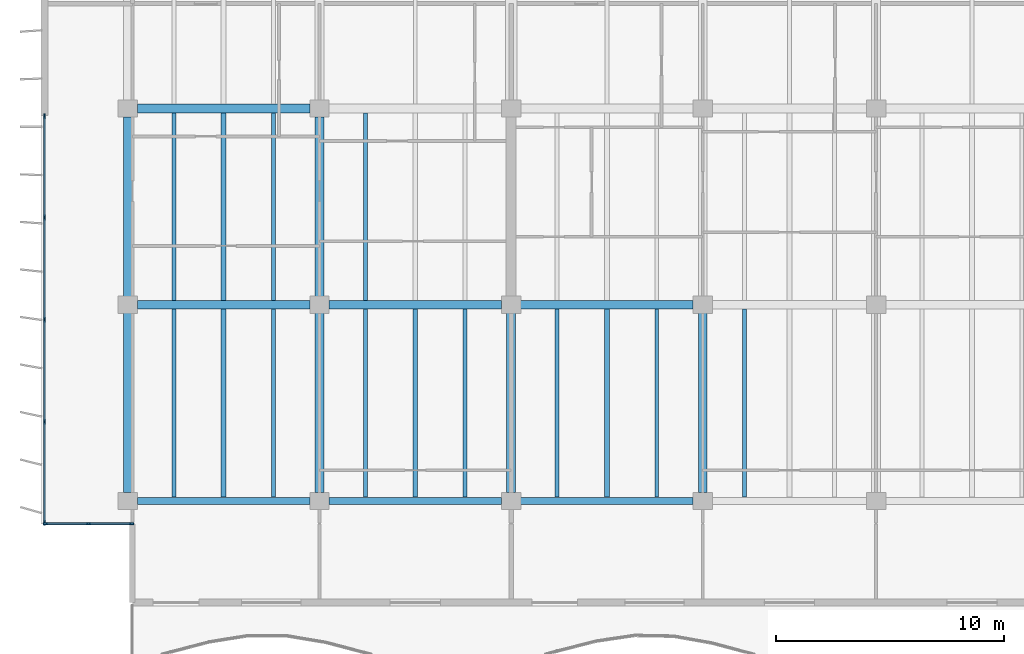
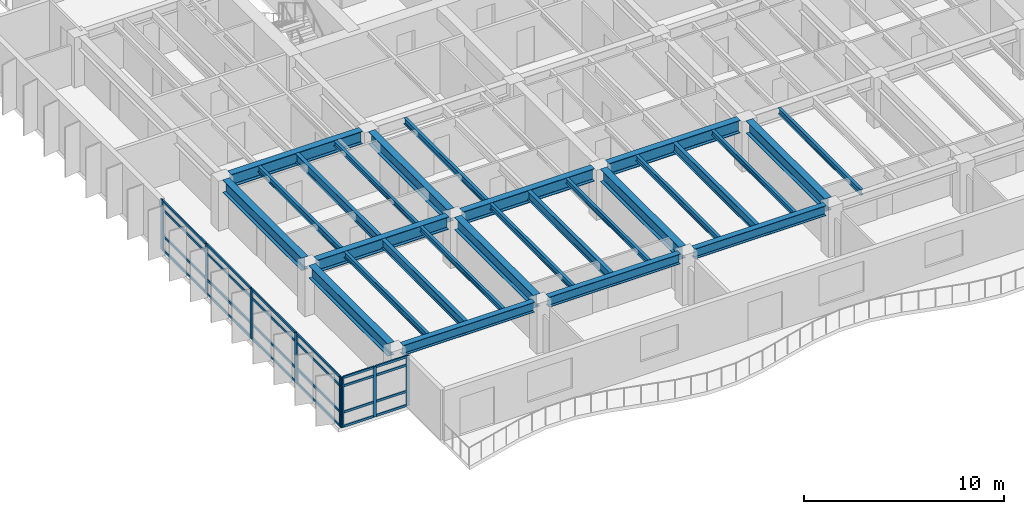
# One storey, part 2 of 17: 32 members, 27 beams, 2 elements without a shape of their own.
"""IFC4 building model written with IfcOpenShell, lengths in metres."""

import ifcopenshell
import ifcopenshell.guid

model = None  # the IFC model being written
_history = None  # IfcOwnerHistory: only IFC2X3 demands one
_inside = {}  # id of a spatial element -> (the spatial element, [elements in it])
_under = {}  # id of a project, library or spatial element -> (it, [spatial elements below it])
_declared = {}  # id of a project -> (the project, [libraries it declares])
_typed = {}  # id of a type object -> (the type object, [elements of that type])
_made_of = {}  # id of a material, layer set ... -> (it, [elements and type objects made of it])


def new_model(schema):
    """Start an empty IFC model of exactly this schema.

    Asked for "IFC4X3", IfcOpenShell would pick the latest addendum, in which some entities
    have other attributes; the version numbers below select the first issue.
    IFC2X3 requires an IfcOwnerHistory on every rooted entity: one is made here for all.
    """
    global model, _history
    if schema == "IFC4X3":
        model = ifcopenshell.file(schema_version=(4, 3, 0, 0))
    else:
        model = ifcopenshell.file(schema=schema)
    _inside.clear()
    _under.clear()
    _declared.clear()
    _typed.clear()
    _made_of.clear()
    _history = None
    if model.schema == "IFC2X3":
        org = make("IfcOrganization", Name="unknown")
        user = make(
            "IfcPersonAndOrganization",
            ThePerson=make("IfcPerson", FamilyName="unknown"),
            TheOrganization=org,
        )
        app = make(
            "IfcApplication",
            ApplicationDeveloper=org,
            Version="unknown",
            ApplicationFullName="unknown",
            ApplicationIdentifier="unknown",
        )
        _history = make(
            "IfcOwnerHistory",
            OwningUser=user,
            OwningApplication=app,
            ChangeAction="ADDED",
            CreationDate=0,
        )
    return model


def make(cls, **values):
    """One entity of the class cls with the attributes given. An attribute that is None is left unset."""
    return model.create_entity(
        cls, **{name: value for name, value in values.items() if value is not None}
    )


def rooted(cls, **values):
    """An entity with a GlobalId (a new one), such as an element, a storey or a relation."""
    return make(cls, GlobalId=ifcopenshell.guid.new(), OwnerHistory=_history, **values)


def si_unit(unit_type, name, prefix=None):
    """IfcSIUnit, for example si_unit("LENGTHUNIT", "METRE", prefix="MILLI")."""
    return make("IfcSIUnit", UnitType=unit_type, Prefix=prefix, Name=name)


def assignment(units):
    """IfcUnitAssignment: the units of a project."""
    return None if units is None else make("IfcUnitAssignment", Units=units)


def point(xyz):
    """IfcCartesianPoint."""
    return None if xyz is None else make("IfcCartesianPoint", Coordinates=xyz)


def direction(xyz):
    """IfcDirection."""
    return None if xyz is None else make("IfcDirection", DirectionRatios=xyz)


def frame(location, z_axis=None, x_axis=None):
    """IfcAxis2Placement3D, a coordinate frame: its origin and axes. An axis left out is left unset."""
    return make(
        "IfcAxis2Placement3D",
        Location=point(location),
        Axis=direction(z_axis),
        RefDirection=direction(x_axis),
    )


def frame_2d(location, x_axis=None):
    """IfcAxis2Placement2D, a coordinate frame in the plane: its origin and x axis."""
    return make(
        "IfcAxis2Placement2D", Location=point(location), RefDirection=direction(x_axis)
    )


def origin():
    """The frame at (0, 0, 0) with its axes left unset."""
    return frame((0.0, 0.0, 0.0))


def origin_2d():
    """The frame at (0, 0) in the plane with its x axis left unset."""
    return frame_2d((0.0, 0.0))


def place(relative_to, where):
    """IfcLocalPlacement: puts the frame where relative to a parent placement (None: the world)."""
    return make(
        "IfcLocalPlacement", PlacementRelTo=relative_to, RelativePlacement=where
    )


def context(
    kind, dimensions, precision=None, world=None, true_north=None, identifier=None
):
    """IfcGeometricRepresentationContext, for example the 3D "Model" context."""
    return make(
        "IfcGeometricRepresentationContext",
        ContextIdentifier=identifier,
        ContextType=kind,
        CoordinateSpaceDimension=dimensions,
        Precision=precision,
        WorldCoordinateSystem=world,
        TrueNorth=true_north,
    )


def subcontext(parent, identifier, kind, view, scale=None):
    """IfcGeometricRepresentationSubContext, for example "Body" below "Model"."""
    return make(
        "IfcGeometricRepresentationSubContext",
        ContextIdentifier=identifier,
        ContextType=kind,
        ParentContext=parent,
        TargetScale=scale,
        TargetView=view,
    )


def project(units=None, contexts=None):
    """IfcProject with its units and contexts."""
    return rooted(
        "IfcProject",
        Name="project",
        RepresentationContexts=contexts,
        UnitsInContext=assignment(units),
    )


def spatial(cls, under=None, at=None, **own):
    """A site, building, storey or space (cls), placed at a placement, below another one or the project."""
    s = rooted(cls, ObjectPlacement=at, **own)
    if under is not None:
        _under.setdefault(under.id(), (under, []))[1].append(s)
    return s


def profile(cls, at=None, kind="AREA", **sizes):
    """A parametric profile (cls). Its sizes go by their IFC names, for example OverallWidth=200.0."""
    return make(cls, ProfileType=kind, Position=at, **sizes)


def rectangle(**sizes):
    """IfcRectangleProfileDef."""
    return profile("IfcRectangleProfileDef", **sizes)


def i_section(**sizes):
    """IfcIShapeProfileDef."""
    return profile("IfcIShapeProfileDef", **sizes)


def extrude(swept, where, along, depth):
    """IfcExtrudedAreaSolid: the profile swept, set in the frame where, extruded along a direction by depth."""
    return make(
        "IfcExtrudedAreaSolid",
        SweptArea=swept,
        Position=where,
        ExtrudedDirection=direction(along),
        Depth=depth,
    )


def shape(context_of_items, identifier, shape_type, items):
    """IfcShapeRepresentation: the items that make up one representation, for example the "Body"."""
    return make(
        "IfcShapeRepresentation",
        ContextOfItems=context_of_items,
        RepresentationIdentifier=identifier,
        RepresentationType=shape_type,
        Items=items,
    )


def material(Name=None, Category=None):
    """IfcMaterial."""
    return make("IfcMaterial", Name=Name, Category=Category)


def layer(
    of_material, thickness, ventilated=None, Name=None, Category=None, Priority=None
):
    """IfcMaterialLayer: one layer of a wall or slab, of a material (None: an air gap)."""
    return make(
        "IfcMaterialLayer",
        Material=of_material,
        LayerThickness=thickness,
        IsVentilated=ventilated,
        Name=Name,
        Category=Category,
        Priority=Priority,
    )


def layer_set(layers, Name=None):
    """IfcMaterialLayerSet."""
    return make("IfcMaterialLayerSet", MaterialLayers=layers, LayerSetName=Name)


def material_profile(
    of_material, cross_section, Name=None, Category=None, Priority=None
):
    """IfcMaterialProfile: a cross section and its material."""
    return make(
        "IfcMaterialProfile",
        Name=Name,
        Material=of_material,
        Profile=cross_section,
        Priority=Priority,
        Category=Category,
    )


def profile_set(profiles, Name=None, composite=None):
    """IfcMaterialProfileSet."""
    return make(
        "IfcMaterialProfileSet",
        Name=Name,
        MaterialProfiles=profiles,
        CompositeProfile=composite,
    )


def made_of(thing, what):
    """Note that an element or type object is made of a material, layer set ...; save() writes the relation."""
    if what is not None:
        _made_of.setdefault(what.id(), (what, []))[1].append(thing)
    return thing


def type_object(cls, material=None, **own):
    """A type object (cls), such as IfcWallType, which elements share."""
    return made_of(rooted(cls, **own), material)


def element(
    cls,
    number,
    at=None,
    inside=None,
    cuts=None,
    type_object=None,
    material=None,
    context=None,
    identifier="Body",
    shape_type=None,
    held_by="IfcProductDefinitionShape",
    body=None,
    shapes=None,
    **own,
):
    """One element of the class cls, such as IfcWall. Its Tag is "e" and its number.

    at: its placement. inside: the storey or other place that contains it. cuts: it is an
    opening in that element (IfcRelVoidsElement). A single representation is given by context,
    identifier, shape_type and body (its items); several are given by shapes. held_by: the class
    of the entity that holds the representations. save() writes the other relations.
    """
    e = rooted(cls, Tag="e%d" % number, ObjectPlacement=at, **own)
    if body is not None:
        shapes = [shape(context, identifier, shape_type, body)]
    if shapes is not None:
        e.Representation = make(held_by, Representations=shapes)
    if inside is not None:
        _inside.setdefault(inside.id(), (inside, []))[1].append(e)
    if cuts is not None:
        rooted(
            "IfcRelVoidsElement", RelatingBuildingElement=cuts, RelatedOpeningElement=e
        )
    if type_object is not None:
        _typed.setdefault(type_object.id(), (type_object, []))[1].append(e)
    return made_of(e, material)


def aggregate(whole, parts):
    """IfcRelAggregates: a whole, such as a stair, and the parts it consists of."""
    return rooted("IfcRelAggregates", RelatingObject=whole, RelatedObjects=parts)


def save(model, path):
    """Write the relations noted so far, then the file.

    IfcRelAggregates (storeys below a building ...), IfcRelContainedInSpatialStructure (elements
    in a storey), IfcRelDefinesByType, IfcRelAssociatesMaterial and IfcRelDeclares: one each for
    every whole, place, type object, material and project.
    """
    for whole, parts in _under.values():
        aggregate(whole, parts)
    for where, things in _inside.values():
        rooted(
            "IfcRelContainedInSpatialStructure",
            RelatedElements=things,
            RelatingStructure=where,
        )
    for kind, things in _typed.values():
        rooted("IfcRelDefinesByType", RelatedObjects=things, RelatingType=kind)
    for what, things in _made_of.values():
        rooted("IfcRelAssociatesMaterial", RelatedObjects=things, RelatingMaterial=what)
    for by, libraries in _declared.values():
        rooted("IfcRelDeclares", RelatingContext=by, RelatedDefinitions=libraries)
    model.write(path)


model = new_model("IFC4")

# Units and contexts
model_context = context("Model", 3, precision=1e-05, world=origin(), true_north=direction((0.0, 1.0)))
body_context = subcontext(model_context, "Body", "Model", "MODEL_VIEW")
ifc_project = project(units=[si_unit("LENGTHUNIT", "METRE"), si_unit("AREAUNIT", "SQUARE_METRE"), si_unit("VOLUMEUNIT", "CUBIC_METRE"), si_unit("PLANEANGLEUNIT", "RADIAN"), si_unit("MASSUNIT", "GRAM", prefix="KILO")], contexts=[model_context])

# Site, building, storey
site_placement = place(None, origin())
site = spatial("IfcSite", under=ifc_project, at=site_placement, CompositionType="ELEMENT")
building_placement = place(site_placement, origin())
building = spatial("IfcBuilding", under=site, at=building_placement, Name="Caelmar Bay Residences", CompositionType="ELEMENT")
storey_placement = place(building_placement, frame((0.0, 0.0, 204.89990234375)))
storey = spatial("IfcBuildingStorey", under=building, at=storey_placement, Name="L57", CompositionType="ELEMENT", Elevation=204.89990234375)

# Beams
ifc_material_1 = material(Name="Steel ASTM A992 Grade 50", Category="steel")
ifc_material_profile_1 = material_profile(ifc_material_1, i_section(OverallWidth=0.381103515625, OverallDepth=0.77197265625, WebThickness=0.0166015625, FlangeThickness=0.027099609375, FilletRadius=0.0166015625, at=origin_2d()), Name="W30X173")
ifc_profile_set_1 = profile_set([ifc_material_profile_1], Name="Steel ASTM A992 Grade 50")
beam_type_1 = type_object("IfcBeamType", Name="BM-GRD-W30X173", PredefinedType="BEAM", material=ifc_profile_set_1)
beam_1_placement = place(storey_placement, frame((10.31494140625, 20.800048828125, 2.6640625), z_axis=(1.0, 0.0, 0.0), x_axis=(0.0, 1.0, 0.0)))
element("IfcBeam", 1, at=beam_1_placement, inside=storey, type_object=beam_type_1, Name="L57 East-West Girder Y=20.80 (9.9-18.3)", PredefinedType="BEAM", context=body_context, shape_type="SweptSolid", body=[
    extrude(i_section(OverallWidth=0.381103515625, OverallDepth=0.77197265625, WebThickness=0.0166015625, FlangeThickness=0.027099609375, FilletRadius=0.0166015625, at=origin_2d()), origin(), (0.0, 0.0, 1.0), 7.570068359375),
])
beam_2_placement = place(storey_placement, frame((18.715087890625, 20.800048828125, 2.6640625), z_axis=(1.0, 0.0, 0.0), x_axis=(0.0, 1.0, 0.0)))
element("IfcBeam", 2, at=beam_2_placement, inside=storey, type_object=beam_type_1, Name="L57 East-West Girder Y=20.80 (18.3-26.7)", PredefinedType="BEAM", context=body_context, shape_type="SweptSolid", body=[
    extrude(i_section(OverallWidth=0.381103515625, OverallDepth=0.77197265625, WebThickness=0.0166015625, FlangeThickness=0.027099609375, FilletRadius=0.0166015625, at=origin_2d()), origin(), (0.0, 0.0, 1.0), 7.56982421875),
])
for number, where, z_axis, x_axis, name in (
    (3, (27.114990234375, 20.800048828125, 2.6640625), (1.0, 0.0, 0.0), (0.0, 1.0, 0.0), "L57 East-West Girder Y=20.80 (26.7-35.1)"),
    (4, (10.31494140625, 29.39990234375, 2.6640625), (1.0, 0.0, 0.0), (0.0, 1.0, 0.0), "L57 East-West Girder Y=29.40 (9.9-18.3)"),
):
    element("IfcBeam", number, at=place(storey_placement, frame(where, z_axis=z_axis, x_axis=x_axis)), inside=storey, type_object=beam_type_1, Name=name, PredefinedType="BEAM", context=body_context, shape_type="SweptSolid", body=[
        extrude(i_section(OverallWidth=0.381103515625, OverallDepth=0.77197265625, WebThickness=0.0166015625, FlangeThickness=0.027099609375, FilletRadius=0.0166015625, at=origin_2d()), origin(), (0.0, 0.0, 1.0), 7.570068359375),
    ])
beam_3_placement = place(storey_placement, frame((9.89990234375, 12.56494140625, 2.6640625), z_axis=(0.0, 1.0, 0.0), x_axis=(-1.0, 0.0, 0.0)))
element("IfcBeam", 5, at=beam_3_placement, inside=storey, type_object=beam_type_1, Name="L57 North-South Girder X=9.90 (12.2-20.8)", PredefinedType="BEAM", context=body_context, shape_type="SweptSolid", body=[
    extrude(i_section(OverallWidth=0.381103515625, OverallDepth=0.77197265625, WebThickness=0.0166015625, FlangeThickness=0.027099609375, FilletRadius=0.0166015625, at=origin_2d()), origin(), (0.0, 0.0, 1.0), 7.8701171875),
])
beam_4_placement = place(storey_placement, frame((9.89990234375, 21.1650390625, 2.6640625), z_axis=(0.0, 1.0, 0.0), x_axis=(-1.0, 0.0, 0.0)))
element("IfcBeam", 6, at=beam_4_placement, inside=storey, type_object=beam_type_1, Name="L57 North-South Girder X=9.90 (20.8-29.4)", PredefinedType="BEAM", context=body_context, shape_type="SweptSolid", body=[
    extrude(i_section(OverallWidth=0.381103515625, OverallDepth=0.77197265625, WebThickness=0.0166015625, FlangeThickness=0.027099609375, FilletRadius=0.0166015625, at=origin_2d()), origin(), (0.0, 0.0, 1.0), 7.869873046875),
])
beam_5_placement = place(storey_placement, frame((18.300048828125, 12.56494140625, 2.6640625), z_axis=(0.0, 1.0, 0.0), x_axis=(-1.0, 0.0, 0.0)))
element("IfcBeam", 7, at=beam_5_placement, inside=storey, type_object=beam_type_1, Name="L57 North-South Girder X=18.30 (12.2-20.8)", PredefinedType="BEAM", context=body_context, shape_type="SweptSolid", body=[
    extrude(i_section(OverallWidth=0.381103515625, OverallDepth=0.77197265625, WebThickness=0.0166015625, FlangeThickness=0.027099609375, FilletRadius=0.0166015625, at=origin_2d()), origin(), (0.0, 0.0, 1.0), 7.8701171875),
])
beam_6_placement = place(storey_placement, frame((18.300048828125, 21.1650390625, 2.6640625), z_axis=(0.0, 1.0, 0.0), x_axis=(-1.0, 0.0, 0.0)))
element("IfcBeam", 8, at=beam_6_placement, inside=storey, type_object=beam_type_1, Name="L57 North-South Girder X=18.30 (20.8-29.4)", PredefinedType="BEAM", context=body_context, shape_type="SweptSolid", body=[
    extrude(i_section(OverallWidth=0.381103515625, OverallDepth=0.77197265625, WebThickness=0.0166015625, FlangeThickness=0.027099609375, FilletRadius=0.0166015625, at=origin_2d()), origin(), (0.0, 0.0, 1.0), 7.869873046875),
])
for number, where, z_axis, x_axis, name in (
    (9, (26.699951171875, 12.56494140625, 2.6640625), (0.0, 1.0, 0.0), (-1.0, 0.0, 0.0), "L57 North-South Girder X=26.70 (12.2-20.8)"),
    (10, (35.10009765625, 12.56494140625, 2.6640625), (0.0, 1.0, 0.0), (-1.0, 0.0, 0.0), "L57 North-South Girder X=35.10 (12.2-20.8)"),
):
    element("IfcBeam", number, at=place(storey_placement, frame(where, z_axis=z_axis, x_axis=x_axis)), inside=storey, type_object=beam_type_1, Name=name, PredefinedType="BEAM", context=body_context, shape_type="SweptSolid", body=[
        extrude(i_section(OverallWidth=0.381103515625, OverallDepth=0.77197265625, WebThickness=0.0166015625, FlangeThickness=0.027099609375, FilletRadius=0.0166015625, at=origin_2d()), origin(), (0.0, 0.0, 1.0), 7.8701171875),
    ])
ifc_material_profile_2 = material_profile(ifc_material_1, i_section(OverallWidth=0.1650390625, OverallDepth=0.31005859375, WebThickness=0.005859375, FlangeThickness=0.009765625, FilletRadius=0.007568359375, at=origin_2d()), Name="W12X26")
ifc_profile_set_2 = profile_set([ifc_material_profile_2], Name="Steel ASTM A992 Grade 50")
beam_type_2 = type_object("IfcBeamType", Name="BM-JST-W12X26", PredefinedType="JOIST", material=ifc_profile_set_2)
for number, where, z_axis, x_axis, name in (
    (11, (16.283935546875, 12.362548828125, 2.89501953125), (0.0, 1.0, 0.0), (-1.0, 0.0, 0.0), "L57 Composite Floor Joist 3"),
    (12, (24.68408203125, 12.362548828125, 2.89501953125), (0.0, 1.0, 0.0), (-1.0, 0.0, 0.0), "L57 Composite Floor Joist 6"),
    (13, (33.083984375, 12.362548828125, 2.89501953125), (0.0, 1.0, 0.0), (-1.0, 0.0, 0.0), "L57 Composite Floor Joist 9"),
):
    element("IfcBeam", number, at=place(storey_placement, frame(where, z_axis=z_axis, x_axis=x_axis)), inside=storey, type_object=beam_type_2, Name=name, PredefinedType="JOIST", context=body_context, shape_type="SweptSolid", body=[
        extrude(i_section(OverallWidth=0.1650390625, OverallDepth=0.31005859375, WebThickness=0.005859375, FlangeThickness=0.009765625, FilletRadius=0.007568359375, at=origin_2d()), origin(), (0.0, 0.0, 1.0), 8.2470703125),
    ])
beam_7_placement = place(storey_placement, frame((16.283935546875, 20.990478515625, 2.89501953125), z_axis=(0.0, 1.0, 0.0), x_axis=(-1.0, 0.0, 0.0)))
element("IfcBeam", 14, at=beam_7_placement, inside=storey, type_object=beam_type_2, Name="L57 Composite Floor Joist 24", PredefinedType="JOIST", context=body_context, shape_type="SweptSolid", body=[
    extrude(i_section(OverallWidth=0.1650390625, OverallDepth=0.31005859375, WebThickness=0.005859375, FlangeThickness=0.009765625, FilletRadius=0.007568359375, at=origin_2d()), origin(), (0.0, 0.0, 1.0), 8.218994140625),
])
ifc_material_profile_3 = material_profile(ifc_material_1, i_section(OverallWidth=0.1708984375, OverallDepth=0.35595703125, WebThickness=0.007080078125, FlangeThickness=0.01171875, FilletRadius=0.007568359375, at=origin_2d()), Name="W14X34")
ifc_profile_set_3 = profile_set([ifc_material_profile_3], Name="Steel ASTM A992 Grade 50")
beam_type_3 = type_object("IfcBeamType", Name="BM-JST-W14X34", PredefinedType="JOIST", material=ifc_profile_set_3)
for number, where, z_axis, x_axis, name in (
    (15, (11.916015625, 12.362548828125, 2.8720703125), (0.0, 1.0, 0.0), (-1.0, 0.0, 0.0), "L57 Composite Floor Joist 1"),
    (16, (20.31591796875, 12.362548828125, 2.8720703125), (0.0, 1.0, 0.0), (-1.0, 0.0, 0.0), "L57 Composite Floor Joist 4"),
    (17, (28.716064453125, 12.362548828125, 2.8720703125), (0.0, 1.0, 0.0), (-1.0, 0.0, 0.0), "L57 Composite Floor Joist 7"),
    (18, (36.924072265625, 12.362548828125, 2.8720703125), (0.0, 1.0, 0.0), (-1.0, 0.0, 0.0), "L57 Composite Floor Joist 10"),
):
    element("IfcBeam", number, at=place(storey_placement, frame(where, z_axis=z_axis, x_axis=x_axis)), inside=storey, type_object=beam_type_3, Name=name, PredefinedType="JOIST", context=body_context, shape_type="SweptSolid", body=[
        extrude(i_section(OverallWidth=0.1708984375, OverallDepth=0.35595703125, WebThickness=0.007080078125, FlangeThickness=0.01171875, FilletRadius=0.007568359375, at=origin_2d()), origin(), (0.0, 0.0, 1.0), 8.2470703125),
    ])
for number, where, z_axis, x_axis, name in (
    (19, (11.916015625, 20.990478515625, 2.8720703125), (0.0, 1.0, 0.0), (-1.0, 0.0, 0.0), "L57 Composite Floor Joist 22"),
    (20, (20.31591796875, 20.990478515625, 2.8720703125), (0.0, 1.0, 0.0), (-1.0, 0.0, 0.0), "L57 Composite Floor Joist 25"),
):
    element("IfcBeam", number, at=place(storey_placement, frame(where, z_axis=z_axis, x_axis=x_axis)), inside=storey, type_object=beam_type_3, Name=name, PredefinedType="JOIST", context=body_context, shape_type="SweptSolid", body=[
        extrude(i_section(OverallWidth=0.1708984375, OverallDepth=0.35595703125, WebThickness=0.007080078125, FlangeThickness=0.01171875, FilletRadius=0.007568359375, at=origin_2d()), origin(), (0.0, 0.0, 1.0), 8.218994140625),
    ])
ifc_material_profile_4 = material_profile(ifc_material_1, i_section(OverallWidth=0.2099609375, OverallDepth=0.535888671875, WebThickness=0.010986328125, FlangeThickness=0.017333984375, FilletRadius=0.0126953125, at=origin_2d()), Name="W21X68")
ifc_profile_set_4 = profile_set([ifc_material_profile_4], Name="Steel ASTM A992 Grade 50")
beam_type_4 = type_object("IfcBeamType", Name="BM-JST-W21X68", PredefinedType="JOIST", material=ifc_profile_set_4)
for number, where, z_axis, x_axis, name in (
    (21, (14.10009765625, 12.362548828125, 2.781982421875), (0.0, 1.0, 0.0), (-1.0, 0.0, 0.0), "L57 Composite Floor Joist 2"),
    (22, (22.5, 12.362548828125, 2.781982421875), (0.0, 1.0, 0.0), (-1.0, 0.0, 0.0), "L57 Composite Floor Joist 5"),
    (23, (30.89990234375, 12.362548828125, 2.781982421875), (0.0, 1.0, 0.0), (-1.0, 0.0, 0.0), "L57 Composite Floor Joist 8"),
):
    element("IfcBeam", number, at=place(storey_placement, frame(where, z_axis=z_axis, x_axis=x_axis)), inside=storey, type_object=beam_type_4, Name=name, PredefinedType="JOIST", context=body_context, shape_type="SweptSolid", body=[
        extrude(i_section(OverallWidth=0.2099609375, OverallDepth=0.535888671875, WebThickness=0.010986328125, FlangeThickness=0.017333984375, FilletRadius=0.0126953125, at=origin_2d()), origin(), (0.0, 0.0, 1.0), 8.2470703125),
    ])
beam_8_placement = place(storey_placement, frame((14.10009765625, 20.990478515625, 2.781982421875), z_axis=(0.0, 1.0, 0.0), x_axis=(-1.0, 0.0, 0.0)))
element("IfcBeam", 24, at=beam_8_placement, inside=storey, type_object=beam_type_4, Name="L57 Composite Floor Joist 23", PredefinedType="JOIST", context=body_context, shape_type="SweptSolid", body=[
    extrude(i_section(OverallWidth=0.2099609375, OverallDepth=0.535888671875, WebThickness=0.010986328125, FlangeThickness=0.017333984375, FilletRadius=0.0126953125, at=origin_2d()), origin(), (0.0, 0.0, 1.0), 8.218994140625),
])
ifc_material_profile_5 = material_profile(ifc_material_1, i_section(OverallWidth=0.324951171875, OverallDepth=0.616943359375, WebThickness=0.013916015625, FlangeThickness=0.021484375, FilletRadius=0.0126953125, at=origin_2d()), Name="W24X117")
ifc_profile_set_5 = profile_set([ifc_material_profile_5], Name="Steel ASTM A992 Grade 50")
beam_type_5 = type_object("IfcBeamType", Name="BM-SPN-W24X117", PredefinedType="SPANDREL", material=ifc_profile_set_5)
beam_9_placement = place(storey_placement, frame((10.31494140625, 12.199951171875, 2.74169921875), z_axis=(1.0, 0.0, 0.0), x_axis=(0.0, 1.0, 0.0)))
element("IfcBeam", 25, at=beam_9_placement, inside=storey, type_object=beam_type_5, Name="L57 East-West Girder Y=12.20 (9.9-18.3)", PredefinedType="SPANDREL", context=body_context, shape_type="SweptSolid", body=[
    extrude(i_section(OverallWidth=0.324951171875, OverallDepth=0.616943359375, WebThickness=0.013916015625, FlangeThickness=0.021484375, FilletRadius=0.0126953125, at=origin_2d()), origin(), (0.0, 0.0, 1.0), 7.570068359375),
])
beam_10_placement = place(storey_placement, frame((18.715087890625, 12.199951171875, 2.74169921875), z_axis=(1.0, 0.0, 0.0), x_axis=(0.0, 1.0, 0.0)))
element("IfcBeam", 26, at=beam_10_placement, inside=storey, type_object=beam_type_5, Name="L57 East-West Girder Y=12.20 (18.3-26.7)", PredefinedType="SPANDREL", context=body_context, shape_type="SweptSolid", body=[
    extrude(i_section(OverallWidth=0.324951171875, OverallDepth=0.616943359375, WebThickness=0.013916015625, FlangeThickness=0.021484375, FilletRadius=0.0126953125, at=origin_2d()), origin(), (0.0, 0.0, 1.0), 7.56982421875),
])
beam_11_placement = place(storey_placement, frame((27.114990234375, 12.199951171875, 2.74169921875), z_axis=(1.0, 0.0, 0.0), x_axis=(0.0, 1.0, 0.0)))
element("IfcBeam", 27, at=beam_11_placement, inside=storey, type_object=beam_type_5, Name="L57 East-West Girder Y=12.20 (26.7-35.1)", PredefinedType="SPANDREL", context=body_context, shape_type="SweptSolid", body=[
    extrude(i_section(OverallWidth=0.324951171875, OverallDepth=0.616943359375, WebThickness=0.013916015625, FlangeThickness=0.021484375, FilletRadius=0.0126953125, at=origin_2d()), origin(), (0.0, 0.0, 1.0), 7.570068359375),
])

# Curtain wall, members
ifc_material_2 = material(Name="Anodised bronze aluminium 6063-T6 and laminated glass", Category="aluminium")
ifc_layer_1 = layer(ifc_material_2, 0.179931640625)
ifc_layer_set_1 = layer_set([ifc_layer_1], Name="Anodised bronze aluminium 6063-T6 and laminated glass")
curtain_wall_type_1 = type_object("IfcCurtainWallType", Name="CW6-NTC", PredefinedType="NOTDEFINED", material=ifc_layer_set_1)
curtain_wall_1_placement = place(storey_placement, origin())
curtain_wall_1 = element("IfcCurtainWall", 28, at=curtain_wall_1_placement, inside=storey, type_object=curtain_wall_type_1, Name="CW6 curtain wall L57", PredefinedType="NOTDEFINED")
ifc_material_3 = material(Name="Anodised bronze aluminium 6063-T6", Category="aluminium")
ifc_material_profile_6 = material_profile(ifc_material_3, rectangle(XDim=0.080078125, YDim=0.179931640625, at=origin_2d()), Name="CWM-80X180")
ifc_profile_set_6 = profile_set([ifc_material_profile_6], Name="Anodised bronze aluminium 6063-T6")
member_type_1 = type_object("IfcMemberType", Name="CWM-180", PredefinedType="MULLION", material=ifc_profile_set_6)
member_1_placement = place(storey_placement, frame((6.2900390625, 11.199951171875, 0.0), z_axis=(0.0, 0.0, 1.0), x_axis=(0.0, 1.0, 0.0)))
member_1 = element("IfcMember", 29, at=member_1_placement, type_object=member_type_1, Name="CW6 mullion 1", PredefinedType="MULLION", context=body_context, shape_type="SweptSolid", body=[
    extrude(rectangle(XDim=0.080078125, YDim=0.179931640625, at=origin_2d()), origin(), (0.0, 0.0, 1.0), 3.050048828125),
])
member_2_placement = place(storey_placement, frame((8.175048828125, 11.199951171875, 0.0), z_axis=(0.0, 0.0, 1.0), x_axis=(0.0, 1.0, 0.0)))
member_2 = element("IfcMember", 30, at=member_2_placement, type_object=member_type_1, Name="CW6 mullion 2", PredefinedType="MULLION", context=body_context, shape_type="SweptSolid", body=[
    extrude(rectangle(XDim=0.080078125, YDim=0.179931640625, at=origin_2d()), origin(), (0.0, 0.0, 1.0), 3.050048828125),
])
member_3_placement = place(storey_placement, frame((10.06005859375, 11.199951171875, 0.0), z_axis=(0.0, 0.0, 1.0), x_axis=(0.0, 1.0, 0.0)))
member_3 = element("IfcMember", 31, at=member_3_placement, type_object=member_type_1, Name="CW6 mullion 3", PredefinedType="MULLION", context=body_context, shape_type="SweptSolid", body=[
    extrude(rectangle(XDim=0.080078125, YDim=0.179931640625, at=origin_2d()), origin(), (0.0, 0.0, 1.0), 3.050048828125),
])

ifc_layer_2 = layer(ifc_material_2, 0.179931640625)
ifc_layer_set_2 = layer_set([ifc_layer_2], Name="Anodised bronze aluminium 6063-T6 and laminated glass")
curtain_wall_type_2 = type_object("IfcCurtainWallType", Name="CW4-Z3", PredefinedType="NOTDEFINED", material=ifc_layer_set_2)
curtain_wall_2_placement = place(storey_placement, origin())
curtain_wall_2 = element("IfcCurtainWall", 32, at=curtain_wall_2_placement, inside=storey, type_object=curtain_wall_type_2, Name="CW4 curtain wall L57", PredefinedType="NOTDEFINED")
ifc_material_profile_7 = material_profile(ifc_material_3, rectangle(XDim=0.080078125, YDim=0.219970703125, at=origin_2d()), Name="CWM-80X220")
ifc_profile_set_7 = profile_set([ifc_material_profile_7], Name="Anodised bronze aluminium 6063-T6")
member_type_2 = type_object("IfcMemberType", Name="CWM-220", PredefinedType="MULLION", material=ifc_profile_set_7)
member_4_placement = place(storey_placement, frame((6.25, 11.239990234375, 0.0), z_axis=(0.0, 0.0, 1.0), x_axis=(-1.0, 0.0, 0.0)))
member_4 = element("IfcMember", 33, at=member_4_placement, type_object=member_type_2, Name="CW4 mullion 1", PredefinedType="MULLION", context=body_context, shape_type="SweptSolid", body=[
    extrude(rectangle(XDim=0.080078125, YDim=0.219970703125, at=origin_2d()), origin(), (0.0, 0.0, 1.0), 3.050048828125),
])
member_5_placement = place(storey_placement, frame((6.25, 15.675048828125, 0.0), z_axis=(0.0, 0.0, 1.0), x_axis=(-1.0, 0.0, 0.0)))
member_5 = element("IfcMember", 34, at=member_5_placement, type_object=member_type_2, Name="CW4 mullion 2", PredefinedType="MULLION", context=body_context, shape_type="SweptSolid", body=[
    extrude(rectangle(XDim=0.080078125, YDim=0.219970703125, at=origin_2d()), origin(), (0.0, 0.0, 1.0), 3.050048828125),
])
member_6_placement = place(storey_placement, frame((6.25, 20.14990234375, 0.0), z_axis=(0.0, 0.0, 1.0), x_axis=(-1.0, 0.0, 0.0)))
member_6 = element("IfcMember", 35, at=member_6_placement, type_object=member_type_2, Name="CW4 mullion 3", PredefinedType="MULLION", context=body_context, shape_type="SweptSolid", body=[
    extrude(rectangle(XDim=0.080078125, YDim=0.219970703125, at=origin_2d()), origin(), (0.0, 0.0, 1.0), 3.050048828125),
])
member_7_placement = place(storey_placement, frame((6.25, 24.625, 0.0), z_axis=(0.0, 0.0, 1.0), x_axis=(-1.0, 0.0, 0.0)))
member_7 = element("IfcMember", 36, at=member_7_placement, type_object=member_type_2, Name="CW4 mullion 4", PredefinedType="MULLION", context=body_context, shape_type="SweptSolid", body=[
    extrude(rectangle(XDim=0.080078125, YDim=0.219970703125, at=origin_2d()), origin(), (0.0, 0.0, 1.0), 3.050048828125),
])
member_8_placement = place(storey_placement, frame((6.25, 29.06005859375, 0.0), z_axis=(0.0, 0.0, 1.0), x_axis=(-1.0, 0.0, 0.0)))
member_8 = element("IfcMember", 37, at=member_8_placement, type_object=member_type_2, Name="CW4 mullion 5", PredefinedType="MULLION", context=body_context, shape_type="SweptSolid", body=[
    extrude(rectangle(XDim=0.080078125, YDim=0.219970703125, at=origin_2d()), origin(), (0.0, 0.0, 1.0), 3.050048828125),
])

# Member
ifc_material_profile_8 = material_profile(ifc_material_3, rectangle(XDim=0.080078125, YDim=0.139892578125, at=origin_2d()), Name="CWT-80X140")
ifc_profile_set_8 = profile_set([ifc_material_profile_8], Name="Anodised bronze aluminium 6063-T6")
member_type_3 = type_object("IfcMemberType", Name="CWT-140", PredefinedType="NOTDEFINED", material=ifc_profile_set_8)
member_9_placement = place(storey_placement, frame((6.330078125, 11.199951171875, 0.0400390625), z_axis=(1.0, 0.0, 0.0), x_axis=(0.0, 1.0, 0.0)))
member_9 = element("IfcMember", 38, at=member_9_placement, type_object=member_type_3, Name="CW6 transom 1.1", ObjectType="TRANSOM", PredefinedType="USERDEFINED", context=body_context, shape_type="SweptSolid", body=[
    extrude(rectangle(XDim=0.080078125, YDim=0.139892578125, at=origin_2d()), origin(), (0.0, 0.0, 1.0), 1.804931640625),
])

member_10_placement = place(storey_placement, frame((6.330078125, 11.199951171875, 0.900146484375), z_axis=(1.0, 0.0, 0.0), x_axis=(0.0, 1.0, 0.0)))
member_10 = element("IfcMember", 39, at=member_10_placement, type_object=member_type_3, Name="CW6 transom 1.2", ObjectType="TRANSOM", PredefinedType="USERDEFINED", context=body_context, shape_type="SweptSolid", body=[
    extrude(rectangle(XDim=0.080078125, YDim=0.139892578125, at=origin_2d()), origin(), (0.0, 0.0, 1.0), 1.804931640625),
])

member_11_placement = place(storey_placement, frame((6.330078125, 11.199951171875, 2.5), z_axis=(1.0, 0.0, 0.0), x_axis=(0.0, 1.0, 0.0)))
member_11 = element("IfcMember", 40, at=member_11_placement, type_object=member_type_3, Name="CW6 transom 1.3", ObjectType="TRANSOM", PredefinedType="USERDEFINED", context=body_context, shape_type="SweptSolid", body=[
    extrude(rectangle(XDim=0.080078125, YDim=0.139892578125, at=origin_2d()), origin(), (0.0, 0.0, 1.0), 1.804931640625),
])

member_12_placement = place(storey_placement, frame((6.330078125, 11.199951171875, 3.010009765625), z_axis=(1.0, 0.0, 0.0), x_axis=(0.0, 1.0, 0.0)))
member_12 = element("IfcMember", 41, at=member_12_placement, type_object=member_type_3, Name="CW6 transom 1.4", ObjectType="TRANSOM", PredefinedType="USERDEFINED", context=body_context, shape_type="SweptSolid", body=[
    extrude(rectangle(XDim=0.080078125, YDim=0.139892578125, at=origin_2d()), origin(), (0.0, 0.0, 1.0), 1.804931640625),
])

member_13_placement = place(storey_placement, frame((8.215087890625, 11.199951171875, 0.0400390625), z_axis=(1.0, 0.0, 0.0), x_axis=(0.0, 1.0, 0.0)))
member_13 = element("IfcMember", 42, at=member_13_placement, type_object=member_type_3, Name="CW6 transom 2.1", ObjectType="TRANSOM", PredefinedType="USERDEFINED", context=body_context, shape_type="SweptSolid", body=[
    extrude(rectangle(XDim=0.080078125, YDim=0.139892578125, at=origin_2d()), origin(), (0.0, 0.0, 1.0), 1.804931640625),
])

member_14_placement = place(storey_placement, frame((8.215087890625, 11.199951171875, 0.900146484375), z_axis=(1.0, 0.0, 0.0), x_axis=(0.0, 1.0, 0.0)))
member_14 = element("IfcMember", 43, at=member_14_placement, type_object=member_type_3, Name="CW6 transom 2.2", ObjectType="TRANSOM", PredefinedType="USERDEFINED", context=body_context, shape_type="SweptSolid", body=[
    extrude(rectangle(XDim=0.080078125, YDim=0.139892578125, at=origin_2d()), origin(), (0.0, 0.0, 1.0), 1.804931640625),
])

member_15_placement = place(storey_placement, frame((8.215087890625, 11.199951171875, 2.5), z_axis=(1.0, 0.0, 0.0), x_axis=(0.0, 1.0, 0.0)))
member_15 = element("IfcMember", 44, at=member_15_placement, type_object=member_type_3, Name="CW6 transom 2.3", ObjectType="TRANSOM", PredefinedType="USERDEFINED", context=body_context, shape_type="SweptSolid", body=[
    extrude(rectangle(XDim=0.080078125, YDim=0.139892578125, at=origin_2d()), origin(), (0.0, 0.0, 1.0), 1.804931640625),
])

member_16_placement = place(storey_placement, frame((8.215087890625, 11.199951171875, 3.010009765625), z_axis=(1.0, 0.0, 0.0), x_axis=(0.0, 1.0, 0.0)))
member_16 = element("IfcMember", 45, at=member_16_placement, type_object=member_type_3, Name="CW6 transom 2.4", ObjectType="TRANSOM", PredefinedType="USERDEFINED", context=body_context, shape_type="SweptSolid", body=[
    extrude(rectangle(XDim=0.080078125, YDim=0.139892578125, at=origin_2d()), origin(), (0.0, 0.0, 1.0), 1.804931640625),
])

aggregate(curtain_wall_1, [member_1, member_2, member_3, member_9, member_10, member_11, member_12, member_13, member_14, member_15, member_16])

member_17_placement = place(storey_placement, frame((6.25, 11.280029296875, 0.0400390625), z_axis=(0.0, 1.0, 0.0), x_axis=(-1.0, 0.0, 0.0)))
member_17 = element("IfcMember", 46, at=member_17_placement, type_object=member_type_3, Name="CW4 transom 1.1", ObjectType="TRANSOM", PredefinedType="USERDEFINED", context=body_context, shape_type="SweptSolid", body=[
    extrude(rectangle(XDim=0.080078125, YDim=0.139892578125, at=origin_2d()), origin(), (0.0, 0.0, 1.0), 4.35498046875),
])

member_18_placement = place(storey_placement, frame((6.25, 11.280029296875, 0.900146484375), z_axis=(0.0, 1.0, 0.0), x_axis=(-1.0, 0.0, 0.0)))
member_18 = element("IfcMember", 47, at=member_18_placement, type_object=member_type_3, Name="CW4 transom 1.2", ObjectType="TRANSOM", PredefinedType="USERDEFINED", context=body_context, shape_type="SweptSolid", body=[
    extrude(rectangle(XDim=0.080078125, YDim=0.139892578125, at=origin_2d()), origin(), (0.0, 0.0, 1.0), 4.35498046875),
])

member_19_placement = place(storey_placement, frame((6.25, 11.280029296875, 2.5), z_axis=(0.0, 1.0, 0.0), x_axis=(-1.0, 0.0, 0.0)))
member_19 = element("IfcMember", 48, at=member_19_placement, type_object=member_type_3, Name="CW4 transom 1.3", ObjectType="TRANSOM", PredefinedType="USERDEFINED", context=body_context, shape_type="SweptSolid", body=[
    extrude(rectangle(XDim=0.080078125, YDim=0.139892578125, at=origin_2d()), origin(), (0.0, 0.0, 1.0), 4.35498046875),
])

member_20_placement = place(storey_placement, frame((6.25, 11.280029296875, 3.010009765625), z_axis=(0.0, 1.0, 0.0), x_axis=(-1.0, 0.0, 0.0)))
member_20 = element("IfcMember", 49, at=member_20_placement, type_object=member_type_3, Name="CW4 transom 1.4", ObjectType="TRANSOM", PredefinedType="USERDEFINED", context=body_context, shape_type="SweptSolid", body=[
    extrude(rectangle(XDim=0.080078125, YDim=0.139892578125, at=origin_2d()), origin(), (0.0, 0.0, 1.0), 4.35498046875),
])

member_21_placement = place(storey_placement, frame((6.25, 15.715087890625, 0.0400390625), z_axis=(0.0, 1.0, 0.0), x_axis=(-1.0, 0.0, 0.0)))
member_21 = element("IfcMember", 50, at=member_21_placement, type_object=member_type_3, Name="CW4 transom 2.1", ObjectType="TRANSOM", PredefinedType="USERDEFINED", context=body_context, shape_type="SweptSolid", body=[
    extrude(rectangle(XDim=0.080078125, YDim=0.139892578125, at=origin_2d()), origin(), (0.0, 0.0, 1.0), 4.39501953125),
])

member_22_placement = place(storey_placement, frame((6.25, 15.715087890625, 0.900146484375), z_axis=(0.0, 1.0, 0.0), x_axis=(-1.0, 0.0, 0.0)))
member_22 = element("IfcMember", 51, at=member_22_placement, type_object=member_type_3, Name="CW4 transom 2.2", ObjectType="TRANSOM", PredefinedType="USERDEFINED", context=body_context, shape_type="SweptSolid", body=[
    extrude(rectangle(XDim=0.080078125, YDim=0.139892578125, at=origin_2d()), origin(), (0.0, 0.0, 1.0), 4.39501953125),
])

member_23_placement = place(storey_placement, frame((6.25, 15.715087890625, 2.5), z_axis=(0.0, 1.0, 0.0), x_axis=(-1.0, 0.0, 0.0)))
member_23 = element("IfcMember", 52, at=member_23_placement, type_object=member_type_3, Name="CW4 transom 2.3", ObjectType="TRANSOM", PredefinedType="USERDEFINED", context=body_context, shape_type="SweptSolid", body=[
    extrude(rectangle(XDim=0.080078125, YDim=0.139892578125, at=origin_2d()), origin(), (0.0, 0.0, 1.0), 4.39501953125),
])

member_24_placement = place(storey_placement, frame((6.25, 15.715087890625, 3.010009765625), z_axis=(0.0, 1.0, 0.0), x_axis=(-1.0, 0.0, 0.0)))
member_24 = element("IfcMember", 53, at=member_24_placement, type_object=member_type_3, Name="CW4 transom 2.4", ObjectType="TRANSOM", PredefinedType="USERDEFINED", context=body_context, shape_type="SweptSolid", body=[
    extrude(rectangle(XDim=0.080078125, YDim=0.139892578125, at=origin_2d()), origin(), (0.0, 0.0, 1.0), 4.39501953125),
])

member_25_placement = place(storey_placement, frame((6.25, 20.18994140625, 0.0400390625), z_axis=(0.0, 1.0, 0.0), x_axis=(-1.0, 0.0, 0.0)))
member_25 = element("IfcMember", 54, at=member_25_placement, type_object=member_type_3, Name="CW4 transom 3.1", ObjectType="TRANSOM", PredefinedType="USERDEFINED", context=body_context, shape_type="SweptSolid", body=[
    extrude(rectangle(XDim=0.080078125, YDim=0.139892578125, at=origin_2d()), origin(), (0.0, 0.0, 1.0), 4.39501953125),
])

member_26_placement = place(storey_placement, frame((6.25, 20.18994140625, 0.900146484375), z_axis=(0.0, 1.0, 0.0), x_axis=(-1.0, 0.0, 0.0)))
member_26 = element("IfcMember", 55, at=member_26_placement, type_object=member_type_3, Name="CW4 transom 3.2", ObjectType="TRANSOM", PredefinedType="USERDEFINED", context=body_context, shape_type="SweptSolid", body=[
    extrude(rectangle(XDim=0.080078125, YDim=0.139892578125, at=origin_2d()), origin(), (0.0, 0.0, 1.0), 4.39501953125),
])

member_27_placement = place(storey_placement, frame((6.25, 20.18994140625, 2.5), z_axis=(0.0, 1.0, 0.0), x_axis=(-1.0, 0.0, 0.0)))
member_27 = element("IfcMember", 56, at=member_27_placement, type_object=member_type_3, Name="CW4 transom 3.3", ObjectType="TRANSOM", PredefinedType="USERDEFINED", context=body_context, shape_type="SweptSolid", body=[
    extrude(rectangle(XDim=0.080078125, YDim=0.139892578125, at=origin_2d()), origin(), (0.0, 0.0, 1.0), 4.39501953125),
])

member_28_placement = place(storey_placement, frame((6.25, 20.18994140625, 3.010009765625), z_axis=(0.0, 1.0, 0.0), x_axis=(-1.0, 0.0, 0.0)))
member_28 = element("IfcMember", 57, at=member_28_placement, type_object=member_type_3, Name="CW4 transom 3.4", ObjectType="TRANSOM", PredefinedType="USERDEFINED", context=body_context, shape_type="SweptSolid", body=[
    extrude(rectangle(XDim=0.080078125, YDim=0.139892578125, at=origin_2d()), origin(), (0.0, 0.0, 1.0), 4.39501953125),
])

member_29_placement = place(storey_placement, frame((6.25, 24.6650390625, 0.0400390625), z_axis=(0.0, 1.0, 0.0), x_axis=(-1.0, 0.0, 0.0)))
member_29 = element("IfcMember", 58, at=member_29_placement, type_object=member_type_3, Name="CW4 transom 4.1", ObjectType="TRANSOM", PredefinedType="USERDEFINED", context=body_context, shape_type="SweptSolid", body=[
    extrude(rectangle(XDim=0.080078125, YDim=0.139892578125, at=origin_2d()), origin(), (0.0, 0.0, 1.0), 4.35498046875),
])

member_30_placement = place(storey_placement, frame((6.25, 24.6650390625, 0.900146484375), z_axis=(0.0, 1.0, 0.0), x_axis=(-1.0, 0.0, 0.0)))
member_30 = element("IfcMember", 59, at=member_30_placement, type_object=member_type_3, Name="CW4 transom 4.2", ObjectType="TRANSOM", PredefinedType="USERDEFINED", context=body_context, shape_type="SweptSolid", body=[
    extrude(rectangle(XDim=0.080078125, YDim=0.139892578125, at=origin_2d()), origin(), (0.0, 0.0, 1.0), 4.35498046875),
])

member_31_placement = place(storey_placement, frame((6.25, 24.6650390625, 2.5), z_axis=(0.0, 1.0, 0.0), x_axis=(-1.0, 0.0, 0.0)))
member_31 = element("IfcMember", 60, at=member_31_placement, type_object=member_type_3, Name="CW4 transom 4.3", ObjectType="TRANSOM", PredefinedType="USERDEFINED", context=body_context, shape_type="SweptSolid", body=[
    extrude(rectangle(XDim=0.080078125, YDim=0.139892578125, at=origin_2d()), origin(), (0.0, 0.0, 1.0), 4.35498046875),
])

member_32_placement = place(storey_placement, frame((6.25, 24.6650390625, 3.010009765625), z_axis=(0.0, 1.0, 0.0), x_axis=(-1.0, 0.0, 0.0)))
member_32 = element("IfcMember", 61, at=member_32_placement, type_object=member_type_3, Name="CW4 transom 4.4", ObjectType="TRANSOM", PredefinedType="USERDEFINED", context=body_context, shape_type="SweptSolid", body=[
    extrude(rectangle(XDim=0.080078125, YDim=0.139892578125, at=origin_2d()), origin(), (0.0, 0.0, 1.0), 4.35498046875),
])

aggregate(curtain_wall_2, [member_4, member_5, member_6, member_7, member_8, member_17, member_18, member_19, member_20, member_21, member_22, member_23, member_24, member_25, member_26, member_27, member_28, member_29, member_30, member_31, member_32])

save(model, "model.ifc")
